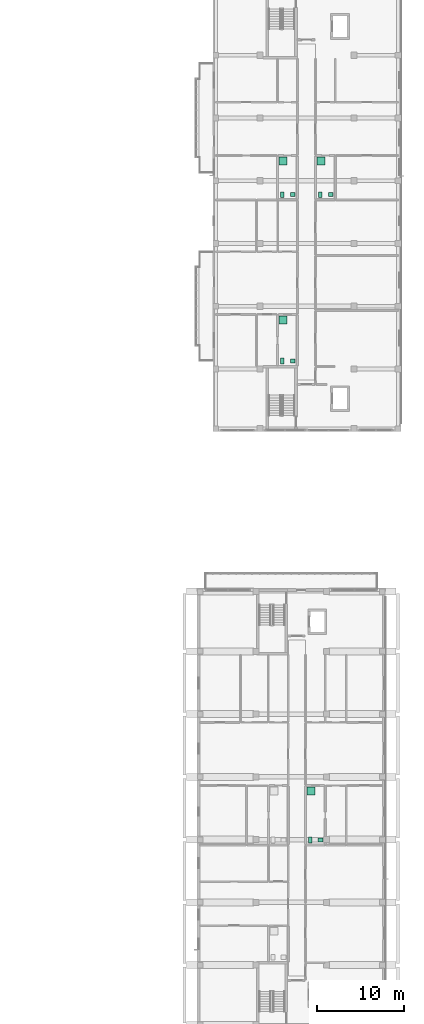
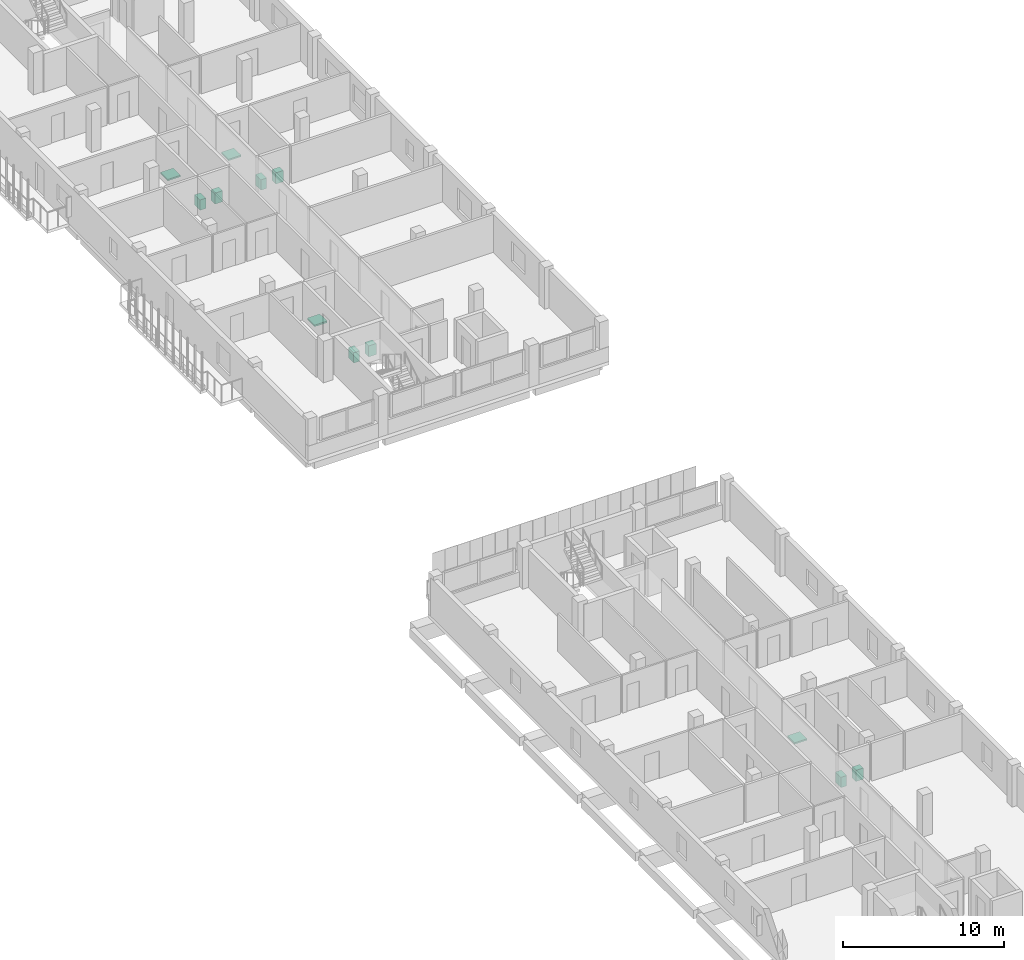
# One storey, part 51 of 51: 12 sanitary terminals.
"""IFC4 building model written with IfcOpenShell, lengths in metres."""

import ifcopenshell
import ifcopenshell.guid

model = None  # the IFC model being written
_history = None  # IfcOwnerHistory: only IFC2X3 demands one
_inside = {}  # id of a spatial element -> (the spatial element, [elements in it])
_under = {}  # id of a project, library or spatial element -> (it, [spatial elements below it])
_declared = {}  # id of a project -> (the project, [libraries it declares])
_typed = {}  # id of a type object -> (the type object, [elements of that type])
_made_of = {}  # id of a material, layer set ... -> (it, [elements and type objects made of it])


def new_model(schema):
    """Start an empty IFC model of exactly this schema.

    Asked for "IFC4X3", IfcOpenShell would pick the latest addendum, in which some entities
    have other attributes; the version numbers below select the first issue.
    IFC2X3 requires an IfcOwnerHistory on every rooted entity: one is made here for all.
    """
    global model, _history
    if schema == "IFC4X3":
        model = ifcopenshell.file(schema_version=(4, 3, 0, 0))
    else:
        model = ifcopenshell.file(schema=schema)
    _inside.clear()
    _under.clear()
    _declared.clear()
    _typed.clear()
    _made_of.clear()
    _history = None
    if model.schema == "IFC2X3":
        org = make("IfcOrganization", Name="unknown")
        user = make(
            "IfcPersonAndOrganization",
            ThePerson=make("IfcPerson", FamilyName="unknown"),
            TheOrganization=org,
        )
        app = make(
            "IfcApplication",
            ApplicationDeveloper=org,
            Version="unknown",
            ApplicationFullName="unknown",
            ApplicationIdentifier="unknown",
        )
        _history = make(
            "IfcOwnerHistory",
            OwningUser=user,
            OwningApplication=app,
            ChangeAction="ADDED",
            CreationDate=0,
        )
    return model


def make(cls, **values):
    """One entity of the class cls with the attributes given. An attribute that is None is left unset."""
    return model.create_entity(
        cls, **{name: value for name, value in values.items() if value is not None}
    )


def rooted(cls, **values):
    """An entity with a GlobalId (a new one), such as an element, a storey or a relation."""
    return make(cls, GlobalId=ifcopenshell.guid.new(), OwnerHistory=_history, **values)


def si_unit(unit_type, name, prefix=None):
    """IfcSIUnit, for example si_unit("LENGTHUNIT", "METRE", prefix="MILLI")."""
    return make("IfcSIUnit", UnitType=unit_type, Prefix=prefix, Name=name)


def derived_unit(unit_type, elements):
    """IfcDerivedUnit: a product of units, each with its exponent."""
    return make(
        "IfcDerivedUnit",
        Elements=[
            make("IfcDerivedUnitElement", Unit=unit, Exponent=power)
            for unit, power in elements
        ],
        UnitType=unit_type,
    )


def assignment(units):
    """IfcUnitAssignment: the units of a project."""
    return None if units is None else make("IfcUnitAssignment", Units=units)


def point(xyz):
    """IfcCartesianPoint."""
    return None if xyz is None else make("IfcCartesianPoint", Coordinates=xyz)


def direction(xyz):
    """IfcDirection."""
    return None if xyz is None else make("IfcDirection", DirectionRatios=xyz)


def frame(location, z_axis=None, x_axis=None):
    """IfcAxis2Placement3D, a coordinate frame: its origin and axes. An axis left out is left unset."""
    return make(
        "IfcAxis2Placement3D",
        Location=point(location),
        Axis=direction(z_axis),
        RefDirection=direction(x_axis),
    )


def frame_2d(location, x_axis=None):
    """IfcAxis2Placement2D, a coordinate frame in the plane: its origin and x axis."""
    return make(
        "IfcAxis2Placement2D", Location=point(location), RefDirection=direction(x_axis)
    )


def origin():
    """The frame at (0, 0, 0) with its axes left unset."""
    return frame((0.0, 0.0, 0.0))


def origin_2d():
    """The frame at (0, 0) in the plane with its x axis left unset."""
    return frame_2d((0.0, 0.0))


def place(relative_to, where):
    """IfcLocalPlacement: puts the frame where relative to a parent placement (None: the world)."""
    return make(
        "IfcLocalPlacement", PlacementRelTo=relative_to, RelativePlacement=where
    )


def context(
    kind, dimensions, precision=None, world=None, true_north=None, identifier=None
):
    """IfcGeometricRepresentationContext, for example the 3D "Model" context."""
    return make(
        "IfcGeometricRepresentationContext",
        ContextIdentifier=identifier,
        ContextType=kind,
        CoordinateSpaceDimension=dimensions,
        Precision=precision,
        WorldCoordinateSystem=world,
        TrueNorth=true_north,
    )


def subcontext(parent, identifier, kind, view, scale=None):
    """IfcGeometricRepresentationSubContext, for example "Body" below "Model"."""
    return make(
        "IfcGeometricRepresentationSubContext",
        ContextIdentifier=identifier,
        ContextType=kind,
        ParentContext=parent,
        TargetScale=scale,
        TargetView=view,
    )


def project(units=None, contexts=None):
    """IfcProject with its units and contexts."""
    return rooted(
        "IfcProject",
        Name="project",
        RepresentationContexts=contexts,
        UnitsInContext=assignment(units),
    )


def spatial(cls, under=None, at=None, **own):
    """A site, building, storey or space (cls), placed at a placement, below another one or the project."""
    s = rooted(cls, ObjectPlacement=at, **own)
    if under is not None:
        _under.setdefault(under.id(), (under, []))[1].append(s)
    return s


def profile(cls, at=None, kind="AREA", **sizes):
    """A parametric profile (cls). Its sizes go by their IFC names, for example OverallWidth=200.0."""
    return make(cls, ProfileType=kind, Position=at, **sizes)


def rectangle(**sizes):
    """IfcRectangleProfileDef."""
    return profile("IfcRectangleProfileDef", **sizes)


def extrude(swept, where, along, depth):
    """IfcExtrudedAreaSolid: the profile swept, set in the frame where, extruded along a direction by depth."""
    return make(
        "IfcExtrudedAreaSolid",
        SweptArea=swept,
        Position=where,
        ExtrudedDirection=direction(along),
        Depth=depth,
    )


def shape(context_of_items, identifier, shape_type, items):
    """IfcShapeRepresentation: the items that make up one representation, for example the "Body"."""
    return make(
        "IfcShapeRepresentation",
        ContextOfItems=context_of_items,
        RepresentationIdentifier=identifier,
        RepresentationType=shape_type,
        Items=items,
    )


def material(Name=None, Category=None):
    """IfcMaterial."""
    return make("IfcMaterial", Name=Name, Category=Category)


def made_of(thing, what):
    """Note that an element or type object is made of a material, layer set ...; save() writes the relation."""
    if what is not None:
        _made_of.setdefault(what.id(), (what, []))[1].append(thing)
    return thing


def type_object(cls, material=None, **own):
    """A type object (cls), such as IfcWallType, which elements share."""
    return made_of(rooted(cls, **own), material)


def element(
    cls,
    number,
    at=None,
    inside=None,
    cuts=None,
    type_object=None,
    material=None,
    context=None,
    identifier="Body",
    shape_type=None,
    held_by="IfcProductDefinitionShape",
    body=None,
    shapes=None,
    **own,
):
    """One element of the class cls, such as IfcWall. Its Tag is "e" and its number.

    at: its placement. inside: the storey or other place that contains it. cuts: it is an
    opening in that element (IfcRelVoidsElement). A single representation is given by context,
    identifier, shape_type and body (its items); several are given by shapes. held_by: the class
    of the entity that holds the representations. save() writes the other relations.
    """
    e = rooted(cls, Tag="e%d" % number, ObjectPlacement=at, **own)
    if body is not None:
        shapes = [shape(context, identifier, shape_type, body)]
    if shapes is not None:
        e.Representation = make(held_by, Representations=shapes)
    if inside is not None:
        _inside.setdefault(inside.id(), (inside, []))[1].append(e)
    if cuts is not None:
        rooted(
            "IfcRelVoidsElement", RelatingBuildingElement=cuts, RelatedOpeningElement=e
        )
    if type_object is not None:
        _typed.setdefault(type_object.id(), (type_object, []))[1].append(e)
    return made_of(e, material)


def aggregate(whole, parts):
    """IfcRelAggregates: a whole, such as a stair, and the parts it consists of."""
    return rooted("IfcRelAggregates", RelatingObject=whole, RelatedObjects=parts)


def save(model, path):
    """Write the relations noted so far, then the file.

    IfcRelAggregates (storeys below a building ...), IfcRelContainedInSpatialStructure (elements
    in a storey), IfcRelDefinesByType, IfcRelAssociatesMaterial and IfcRelDeclares: one each for
    every whole, place, type object, material and project.
    """
    for whole, parts in _under.values():
        aggregate(whole, parts)
    for where, things in _inside.values():
        rooted(
            "IfcRelContainedInSpatialStructure",
            RelatedElements=things,
            RelatingStructure=where,
        )
    for kind, things in _typed.values():
        rooted("IfcRelDefinesByType", RelatedObjects=things, RelatingType=kind)
    for what, things in _made_of.values():
        rooted("IfcRelAssociatesMaterial", RelatedObjects=things, RelatingMaterial=what)
    for by, libraries in _declared.values():
        rooted("IfcRelDeclares", RelatingContext=by, RelatedDefinitions=libraries)
    model.write(path)


model = new_model("IFC4")

# Units and contexts
model_context = context("Model", 3, precision=1e-05, world=origin(), true_north=direction((0.0, 1.0)))
body_context = subcontext(model_context, "Body", "Model", "MODEL_VIEW")
ifc_project = project(units=[si_unit("LENGTHUNIT", "METRE"), si_unit("AREAUNIT", "SQUARE_METRE"), si_unit("VOLUMEUNIT", "CUBIC_METRE"), si_unit("PLANEANGLEUNIT", "RADIAN"), si_unit("MASSUNIT", "GRAM", prefix="KILO"), derived_unit("THERMALTRANSMITTANCEUNIT", [(si_unit("MASSUNIT", "GRAM", prefix="KILO"), 1), (si_unit("TIMEUNIT", "SECOND"), -3), (si_unit("THERMODYNAMICTEMPERATUREUNIT", "KELVIN"), -1)])], contexts=[model_context])

# Site, building, storey
site_placement = place(None, origin())
site = spatial("IfcSite", under=ifc_project, at=site_placement, CompositionType="ELEMENT")
building_placement = place(site_placement, origin())
building = spatial("IfcBuilding", under=site, at=building_placement, Name="Ochrekiln Boulevard Commons", CompositionType="ELEMENT")
storey_placement = place(building_placement, frame((0.0, 0.0, 18.375)))
storey = spatial("IfcBuildingStorey", under=building, at=storey_placement, Name="L05", CompositionType="ELEMENT", Elevation=18.375)

# Sanitary terminals
ifc_material = material(Name="Vitreous china sanitaryware")
sanitary_terminal_type_1 = type_object("IfcSanitaryTerminalType", Name="SAN-BAS", PredefinedType="WASHHANDBASIN", material=ifc_material)
for number, where, z_axis, x_axis, name in (
    (1, (160.3701171875, 76.5, 0.0), (0.0, 0.0, 1.0), (1.0, 0.0, 0.0), "L05 Washhand Basin Fixture"),
    (2, (160.3701171875, 95.597900390625, 0.0), (0.0, 0.0, 1.0), (1.0, 0.0, 0.0), "L05 Washhand Basin Fixture"),
    (3, (164.72998046875, 95.597900390625, 0.0), (0.0, 0.0, 1.0), (1.0, 0.0, 0.0), "L05 Washhand Basin Fixture"),
    (4, (163.580078125, 21.56591796875, 0.0), (0.0, 0.0, 1.0), (1.0, 0.0, 0.0), "L05 Washhand Basin Fixture"),
):
    element("IfcSanitaryTerminal", number, at=place(storey_placement, frame(where, z_axis=z_axis, x_axis=x_axis)), inside=storey, type_object=sanitary_terminal_type_1, Name=name, PredefinedType="WASHHANDBASIN", context=body_context, shape_type="SweptSolid", body=[
        extrude(rectangle(XDim=0.550048828125, YDim=0.4599609375, at=origin_2d()), origin(), (0.0, 0.0, 1.0), 0.840087890625),
    ])
sanitary_terminal_type_2 = type_object("IfcSanitaryTerminalType", Name="SAN-SHW", PredefinedType="SHOWER", material=ifc_material)
for number, where, z_axis, x_axis, name in (
    (5, (159.27001953125, 81.235107421875, 0.0), (0.0, 0.0, 1.0), (1.0, 0.0, 0.0), "L05 Shower Receptor"),
    (6, (159.27001953125, 99.4599609375, 0.0), (0.0, 0.0, 1.0), (1.0, 0.0, 0.0), "L05 Shower Receptor"),
    (7, (163.6298828125, 99.4599609375, 0.0), (0.0, 0.0, 1.0), (1.0, 0.0, 0.0), "L05 Shower Receptor"),
    (8, (162.47998046875, 27.174072265625, 0.0), (0.0, 0.0, 1.0), (1.0, 0.0, 0.0), "L05 Shower Receptor"),
):
    element("IfcSanitaryTerminal", number, at=place(storey_placement, frame(where, z_axis=z_axis, x_axis=x_axis)), inside=storey, type_object=sanitary_terminal_type_2, Name=name, PredefinedType="SHOWER", context=body_context, shape_type="SweptSolid", body=[
        extrude(rectangle(XDim=0.89990234375, YDim=0.89990234375, at=origin_2d()), origin(), (0.0, 0.0, 1.0), 0.1201171875),
    ])
sanitary_terminal_type_3 = type_object("IfcSanitaryTerminalType", Name="SAN-WC", PredefinedType="TOILETPAN", material=ifc_material)
for number, where, z_axis, x_axis, name in (
    (9, (159.169921875, 76.5, 0.0), (0.0, 0.0, 1.0), (1.0, 0.0, 0.0), "L05 Water Closet Fixture"),
    (10, (159.169921875, 95.597900390625, 0.0), (0.0, 0.0, 1.0), (1.0, 0.0, 0.0), "L05 Water Closet Fixture"),
    (11, (163.530029296875, 95.597900390625, 0.0), (0.0, 0.0, 1.0), (1.0, 0.0, 0.0), "L05 Water Closet Fixture"),
    (12, (162.3798828125, 21.56591796875, 0.0), (0.0, 0.0, 1.0), (1.0, 0.0, 0.0), "L05 Water Closet Fixture"),
):
    element("IfcSanitaryTerminal", number, at=place(storey_placement, frame(where, z_axis=z_axis, x_axis=x_axis)), inside=storey, type_object=sanitary_terminal_type_3, Name=name, PredefinedType="TOILETPAN", context=body_context, shape_type="SweptSolid", body=[
        extrude(rectangle(XDim=0.419921875, YDim=0.679931640625, at=origin_2d()), origin(), (0.0, 0.0, 1.0), 0.780029296875),
    ])

save(model, "model.ifc")
